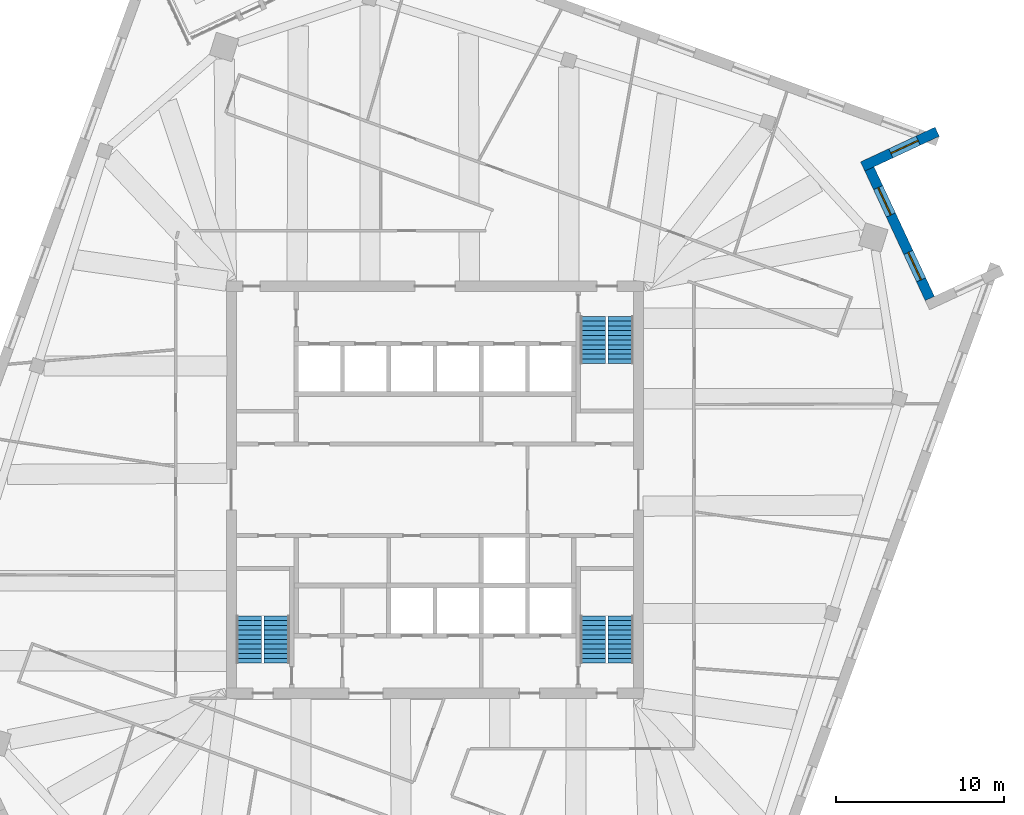
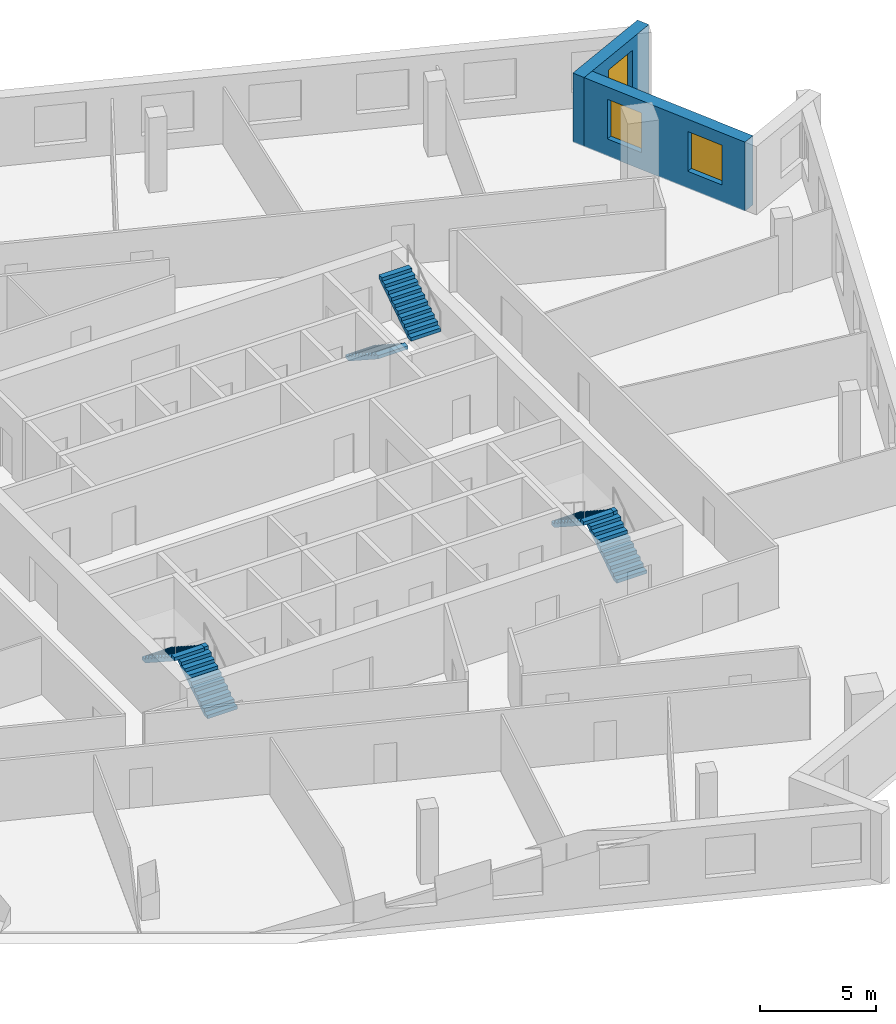
# One storey, part 11 of 13: 6 stair flights, 3 windows, 2 walls, 3 openings, 3 elements without a shape of their own.
"""IFC4 building model written with IfcOpenShell, lengths in metres."""

from ifc_helpers import new_model, si_unit, direction, frame, frame_2d, origin, place, context, subcontext, project, spatial, polyline, rectangle, outline, extrude, material, layer, layer_set, type_object, element, fill, aggregate, save


model = new_model("IFC4")

# Units and contexts
model_context = context("Model", 3, precision=1e-05, world=origin(), true_north=direction((0.0, 1.0)))
body_context = subcontext(model_context, "Body", "Model", "MODEL_VIEW")
ifc_project = project(units=[si_unit("LENGTHUNIT", "METRE"), si_unit("AREAUNIT", "SQUARE_METRE"), si_unit("VOLUMEUNIT", "CUBIC_METRE"), si_unit("PLANEANGLEUNIT", "RADIAN"), si_unit("MASSUNIT", "GRAM", prefix="KILO")], contexts=[model_context])

# Site, building, storey
site_placement = place(None, origin())
site = spatial("IfcSite", under=ifc_project, at=site_placement, CompositionType="ELEMENT")
building_placement = place(site_placement, origin())
building = spatial("IfcBuilding", under=site, at=building_placement, Name="Dilmun Exchange Tower", CompositionType="ELEMENT")
storey_placement = place(building_placement, frame((0.0, 0.0, 308.5)))
storey = spatial("IfcBuildingStorey", under=building, at=storey_placement, Name="L73", CompositionType="ELEMENT", Elevation=308.5)

# Wall, openings, windows
ifc_material_1 = material(Name="Precast concrete C50/60", Category="concrete")
ifc_layer = layer(ifc_material_1, 0.60009765625)
ifc_layer_set = layer_set([ifc_layer], Name="Precast concrete C50/60")
wall_type = type_object("IfcWallType", Name="Precast stone-clad wall 600", PredefinedType="STANDARD", material=ifc_layer_set)
wall_1_placement = place(storey_placement, frame((29.420654296875, 11.370361328125, 0.0), z_axis=(0.0, 0.0, 1.0), x_axis=(-0.42259769246, 0.906317378365, 0.0)))
wall_1 = element("IfcWall", 1, at=wall_1_placement, inside=storey, type_object=wall_type, Name="Facade wall L73-13", PredefinedType="STANDARD", context=body_context, shape_type="SweptSolid", body=[
    extrude(rectangle(XDim=8.5, YDim=0.60009765625, at=frame_2d((4.25, 0.0))), origin(), (0.0, 0.0, 1.0), 3.64990234375),
])
opening_1_placement = place(wall_1_placement, frame((1.22509765625, 0.0, 0.89990234375)))
opening_1 = element("IfcOpeningElement", 2, at=opening_1_placement, cuts=wall_1, Name="Opening W180-210", PredefinedType="OPENING", context=body_context, shape_type="SweptSolid", body=[
    extrude(rectangle(XDim=1.800048828125, YDim=2.10009765625, at=frame_2d((0.89990234375, 1.050048828125))), frame((0.0, 0.31005859375, 0.0), z_axis=(0.0, -1.0, 0.0), x_axis=(1.0, 0.0, 0.0)), (0.0, 0.0, 1.0), 0.6201171875),
])
opening_2_placement = place(wall_1_placement, frame((5.47509765625, 0.0, 0.89990234375)))
opening_2 = element("IfcOpeningElement", 3, at=opening_2_placement, cuts=wall_1, Name="Opening W180-210", PredefinedType="OPENING", context=body_context, shape_type="SweptSolid", body=[
    extrude(rectangle(XDim=1.800048828125, YDim=2.10009765625, at=frame_2d((0.89990234375, 1.050048828125))), frame((0.0, 0.31005859375, 0.0), z_axis=(0.0, -1.0, 0.0), x_axis=(1.0, 0.0, 0.0)), (0.0, 0.0, 1.0), 0.6201171875),
])
ifc_material_2 = material(Name="Clear low-emissivity glass in aluminium frame", Category="aluminium")
window_type = type_object("IfcWindowType", Name="Punched window 1800 x 2100", PartitioningType="DOUBLE_PANEL_VERTICAL", PredefinedType="WINDOW", material=ifc_material_2)
window_1_placement = place(opening_1_placement, origin())
window_1 = element("IfcWindow", 4, at=window_1_placement, inside=storey, type_object=window_type, Name="Window 14.1", OverallHeight=2.10009765625, OverallWidth=1.800048828125, PartitioningType="SINGLE_PANEL", PredefinedType="WINDOW", context=body_context, shape_type="SweptSolid", body=[
    extrude(rectangle(XDim=1.800048828125, YDim=2.10009765625, at=frame_2d((0.89990234375, 1.050048828125))), frame((0.0, 0.030029296875, 0.0), z_axis=(0.0, -1.0, 0.0), x_axis=(1.0, 0.0, 0.0)), (0.0, 0.0, 1.0), 0.06005859375),
])
fill(opening_1, window_1)
window_2_placement = place(opening_2_placement, origin())
window_2 = element("IfcWindow", 5, at=window_2_placement, inside=storey, type_object=window_type, Name="Window 14.2", OverallHeight=2.10009765625, OverallWidth=1.800048828125, PartitioningType="SINGLE_PANEL", PredefinedType="WINDOW", context=body_context, shape_type="SweptSolid", body=[
    extrude(rectangle(XDim=1.800048828125, YDim=2.10009765625, at=frame_2d((0.89990234375, 1.050048828125))), frame((0.0, 0.030029296875, 0.0), z_axis=(0.0, -1.0, 0.0), x_axis=(1.0, 0.0, 0.0)), (0.0, 0.0, 1.0), 0.06005859375),
])
fill(opening_2, window_2)

# Wall, opening, window
wall_2_placement = place(storey_placement, frame((25.4296875, 19.218994140625, 0.0), z_axis=(0.0, 0.0, 1.0), x_axis=(0.906315863802, 0.422600940628, 0.0)))
wall_2 = element("IfcWall", 6, at=wall_2_placement, inside=storey, type_object=wall_type, Name="Facade wall L73-14", PredefinedType="STANDARD", context=body_context, shape_type="SweptSolid", body=[
    extrude(rectangle(XDim=4.8857421875, YDim=0.60009765625, at=frame_2d((2.44287109375, 0.0))), origin(), (0.0, 0.0, 1.0), 3.64990234375),
])
opening_3_placement = place(wall_2_placement, frame((1.8427734375, 0.0, 0.89990234375)))
opening_3 = element("IfcOpeningElement", 7, at=opening_3_placement, cuts=wall_2, Name="Opening W180-210", PredefinedType="OPENING", context=body_context, shape_type="SweptSolid", body=[
    extrude(rectangle(XDim=1.800048828125, YDim=2.10009765625, at=frame_2d((0.89990234375, 1.050048828125))), frame((0.0, 0.31005859375, 0.0), z_axis=(0.0, -1.0, 0.0), x_axis=(1.0, 0.0, 0.0)), (0.0, 0.0, 1.0), 0.6201171875),
])
window_3_placement = place(opening_3_placement, origin())
window_3 = element("IfcWindow", 8, at=window_3_placement, inside=storey, type_object=window_type, Name="Window 15.1", OverallHeight=2.10009765625, OverallWidth=1.800048828125, PartitioningType="SINGLE_PANEL", PredefinedType="WINDOW", context=body_context, shape_type="SweptSolid", body=[
    extrude(rectangle(XDim=1.800048828125, YDim=2.10009765625, at=frame_2d((0.89990234375, 1.050048828125))), frame((0.0, 0.030029296875, 0.0), z_axis=(0.0, -1.0, 0.0), x_axis=(1.0, 0.0, 0.0)), (0.0, 0.0, 1.0), 0.06005859375),
])
fill(opening_3, window_3)

# Stair, stair flights
ifc_material_3 = material(Name="Concrete C40/50", Category="concrete")
stair_type = type_object("IfcStairType", Name="Exit stair 1500 half-turn", PredefinedType="HALF_TURN_STAIR", material=ifc_material_3)
stair_1_placement = place(storey_placement, origin())
stair_1 = element("IfcStair", 9, at=stair_1_placement, inside=storey, type_object=stair_type, Name="L73 Protected exit stair ST1", PredefinedType="HALF_TURN_STAIR")
stair_flight_type = type_object("IfcStairFlightType", Name="Exit stair flight 1500", PredefinedType="STRAIGHT", material=ifc_material_3)
stair_flight_1_placement = place(storey_placement, frame((9.39990234375, 10.300048828125, 0.0), z_axis=(0.0, 0.0, 1.0), x_axis=(0.0, -1.0, 0.0)))
stair_flight_1 = element("IfcStairFlight", 10, at=stair_flight_1_placement, type_object=stair_flight_type, Name="ST1 flight 1", NumberOfRisers=11, NumberOfTreads=10, PredefinedType="STRAIGHT", RiserHeight=0.181818182, TreadLength=0.28, context=body_context, shape_type="SweptSolid", body=[
    extrude(outline(polyline([(0.0, 0.0), (0.0, 0.181884765625), (0.280029296875, 0.181884765625), (0.280029296875, 0.363525390625), (0.56005859375, 0.363525390625), (0.56005859375, 0.54541015625), (0.840087890625, 0.54541015625), (0.840087890625, 0.727294921875), (1.1201171875, 0.727294921875), (1.1201171875, 0.9091796875), (1.39990234375, 0.9091796875), (1.39990234375, 1.0908203125), (1.679931640625, 1.0908203125), (1.679931640625, 1.272705078125), (1.9599609375, 1.272705078125), (1.9599609375, 1.45458984375), (2.239990234375, 1.45458984375), (2.239990234375, 1.636474609375), (2.52001953125, 1.636474609375), (2.52001953125, 1.818115234375), (2.800048828125, 1.818115234375), (2.800048828125, 2.0), (2.800048828125, 1.639404296875), (0.275146484375, 0.0), (0.0, 0.0)])), frame((0.0, 0.75, 0.0), z_axis=(0.0, -1.0, 0.0), x_axis=(1.0, 0.0, 0.0)), (0.0, 0.0, 1.0), 1.5),
])
stair_flight_2_placement = place(storey_placement, frame((11.050048828125, 7.5, 2.0), z_axis=(0.0, 0.0, 1.0), x_axis=(0.0, 1.0, 0.0)))
stair_flight_2 = element("IfcStairFlight", 11, at=stair_flight_2_placement, type_object=stair_flight_type, Name="ST1 flight 2", NumberOfRisers=11, NumberOfTreads=10, PredefinedType="STRAIGHT", RiserHeight=0.181818182, TreadLength=0.28, context=body_context, shape_type="SweptSolid", body=[
    extrude(outline(polyline([(0.0, 0.0), (0.0, 0.181884765625), (0.280029296875, 0.181884765625), (0.280029296875, 0.363525390625), (0.56005859375, 0.363525390625), (0.56005859375, 0.54541015625), (0.840087890625, 0.54541015625), (0.840087890625, 0.727294921875), (1.1201171875, 0.727294921875), (1.1201171875, 0.9091796875), (1.39990234375, 0.9091796875), (1.39990234375, 1.0908203125), (1.679931640625, 1.0908203125), (1.679931640625, 1.272705078125), (1.9599609375, 1.272705078125), (1.9599609375, 1.45458984375), (2.239990234375, 1.45458984375), (2.239990234375, 1.636474609375), (2.52001953125, 1.636474609375), (2.52001953125, 1.818115234375), (2.800048828125, 1.818115234375), (2.800048828125, 2.0), (2.800048828125, 1.639404296875), (0.275146484375, 0.0), (0.0, 0.0)])), frame((0.0, 0.75, 0.0), z_axis=(0.0, -1.0, 0.0), x_axis=(1.0, 0.0, 0.0)), (0.0, 0.0, 1.0), 1.5),
])
aggregate(stair_1, [stair_flight_1, stair_flight_2])

stair_2_placement = place(storey_placement, origin())
stair_2 = element("IfcStair", 12, at=stair_2_placement, inside=storey, type_object=stair_type, Name="L73 Protected exit stair ST2", PredefinedType="HALF_TURN_STAIR")
stair_flight_3_placement = place(storey_placement, frame((-9.39990234375, -10.300048828125, 0.0), z_axis=(0.0, 0.0, 1.0), x_axis=(0.0, 1.0, 0.0)))
stair_flight_3 = element("IfcStairFlight", 13, at=stair_flight_3_placement, type_object=stair_flight_type, Name="ST2 flight 1", NumberOfRisers=11, NumberOfTreads=10, PredefinedType="STRAIGHT", RiserHeight=0.181818182, TreadLength=0.28, context=body_context, shape_type="SweptSolid", body=[
    extrude(outline(polyline([(0.0, 0.0), (0.0, 0.181884765625), (0.280029296875, 0.181884765625), (0.280029296875, 0.363525390625), (0.56005859375, 0.363525390625), (0.56005859375, 0.54541015625), (0.840087890625, 0.54541015625), (0.840087890625, 0.727294921875), (1.1201171875, 0.727294921875), (1.1201171875, 0.9091796875), (1.39990234375, 0.9091796875), (1.39990234375, 1.0908203125), (1.679931640625, 1.0908203125), (1.679931640625, 1.272705078125), (1.9599609375, 1.272705078125), (1.9599609375, 1.45458984375), (2.239990234375, 1.45458984375), (2.239990234375, 1.636474609375), (2.52001953125, 1.636474609375), (2.52001953125, 1.818115234375), (2.800048828125, 1.818115234375), (2.800048828125, 2.0), (2.800048828125, 1.639404296875), (0.275146484375, 0.0), (0.0, 0.0)])), frame((0.0, 0.75, 0.0), z_axis=(0.0, -1.0, 0.0), x_axis=(1.0, 0.0, 0.0)), (0.0, 0.0, 1.0), 1.5),
])
stair_flight_4_placement = place(storey_placement, frame((-11.050048828125, -7.5, 2.0), z_axis=(0.0, 0.0, 1.0), x_axis=(0.0, -1.0, 0.0)))
stair_flight_4 = element("IfcStairFlight", 14, at=stair_flight_4_placement, type_object=stair_flight_type, Name="ST2 flight 2", NumberOfRisers=11, NumberOfTreads=10, PredefinedType="STRAIGHT", RiserHeight=0.181818182, TreadLength=0.28, context=body_context, shape_type="SweptSolid", body=[
    extrude(outline(polyline([(0.0, 0.0), (0.0, 0.181884765625), (0.280029296875, 0.181884765625), (0.280029296875, 0.363525390625), (0.56005859375, 0.363525390625), (0.56005859375, 0.54541015625), (0.840087890625, 0.54541015625), (0.840087890625, 0.727294921875), (1.1201171875, 0.727294921875), (1.1201171875, 0.9091796875), (1.39990234375, 0.9091796875), (1.39990234375, 1.0908203125), (1.679931640625, 1.0908203125), (1.679931640625, 1.272705078125), (1.9599609375, 1.272705078125), (1.9599609375, 1.45458984375), (2.239990234375, 1.45458984375), (2.239990234375, 1.636474609375), (2.52001953125, 1.636474609375), (2.52001953125, 1.818115234375), (2.800048828125, 1.818115234375), (2.800048828125, 2.0), (2.800048828125, 1.639404296875), (0.275146484375, 0.0), (0.0, 0.0)])), frame((0.0, 0.75, 0.0), z_axis=(0.0, -1.0, 0.0), x_axis=(1.0, 0.0, 0.0)), (0.0, 0.0, 1.0), 1.5),
])
aggregate(stair_2, [stair_flight_3, stair_flight_4])

stair_3_placement = place(storey_placement, origin())
stair_3 = element("IfcStair", 15, at=stair_3_placement, inside=storey, type_object=stair_type, Name="L73 Protected exit stair ST3", PredefinedType="HALF_TURN_STAIR")
stair_flight_5_placement = place(storey_placement, frame((11.050048828125, -10.300048828125, 0.0), z_axis=(0.0, 0.0, 1.0), x_axis=(0.0, 1.0, 0.0)))
stair_flight_5 = element("IfcStairFlight", 16, at=stair_flight_5_placement, type_object=stair_flight_type, Name="ST3 flight 1", NumberOfRisers=11, NumberOfTreads=10, PredefinedType="STRAIGHT", RiserHeight=0.181818182, TreadLength=0.28, context=body_context, shape_type="SweptSolid", body=[
    extrude(outline(polyline([(0.0, 0.0), (0.0, 0.181884765625), (0.280029296875, 0.181884765625), (0.280029296875, 0.363525390625), (0.56005859375, 0.363525390625), (0.56005859375, 0.54541015625), (0.840087890625, 0.54541015625), (0.840087890625, 0.727294921875), (1.1201171875, 0.727294921875), (1.1201171875, 0.9091796875), (1.39990234375, 0.9091796875), (1.39990234375, 1.0908203125), (1.679931640625, 1.0908203125), (1.679931640625, 1.272705078125), (1.9599609375, 1.272705078125), (1.9599609375, 1.45458984375), (2.239990234375, 1.45458984375), (2.239990234375, 1.636474609375), (2.52001953125, 1.636474609375), (2.52001953125, 1.818115234375), (2.800048828125, 1.818115234375), (2.800048828125, 2.0), (2.800048828125, 1.639404296875), (0.275146484375, 0.0), (0.0, 0.0)])), frame((0.0, 0.75, 0.0), z_axis=(0.0, -1.0, 0.0), x_axis=(1.0, 0.0, 0.0)), (0.0, 0.0, 1.0), 1.5),
])
stair_flight_6_placement = place(storey_placement, frame((9.39990234375, -7.5, 2.0), z_axis=(0.0, 0.0, 1.0), x_axis=(0.0, -1.0, 0.0)))
stair_flight_6 = element("IfcStairFlight", 17, at=stair_flight_6_placement, type_object=stair_flight_type, Name="ST3 flight 2", NumberOfRisers=11, NumberOfTreads=10, PredefinedType="STRAIGHT", RiserHeight=0.181818182, TreadLength=0.28, context=body_context, shape_type="SweptSolid", body=[
    extrude(outline(polyline([(0.0, 0.0), (0.0, 0.181884765625), (0.280029296875, 0.181884765625), (0.280029296875, 0.363525390625), (0.56005859375, 0.363525390625), (0.56005859375, 0.54541015625), (0.840087890625, 0.54541015625), (0.840087890625, 0.727294921875), (1.1201171875, 0.727294921875), (1.1201171875, 0.9091796875), (1.39990234375, 0.9091796875), (1.39990234375, 1.0908203125), (1.679931640625, 1.0908203125), (1.679931640625, 1.272705078125), (1.9599609375, 1.272705078125), (1.9599609375, 1.45458984375), (2.239990234375, 1.45458984375), (2.239990234375, 1.636474609375), (2.52001953125, 1.636474609375), (2.52001953125, 1.818115234375), (2.800048828125, 1.818115234375), (2.800048828125, 2.0), (2.800048828125, 1.639404296875), (0.275146484375, 0.0), (0.0, 0.0)])), frame((0.0, 0.75, 0.0), z_axis=(0.0, -1.0, 0.0), x_axis=(1.0, 0.0, 0.0)), (0.0, 0.0, 1.0), 1.5),
])
aggregate(stair_3, [stair_flight_5, stair_flight_6])

save(model, "model.ifc")
